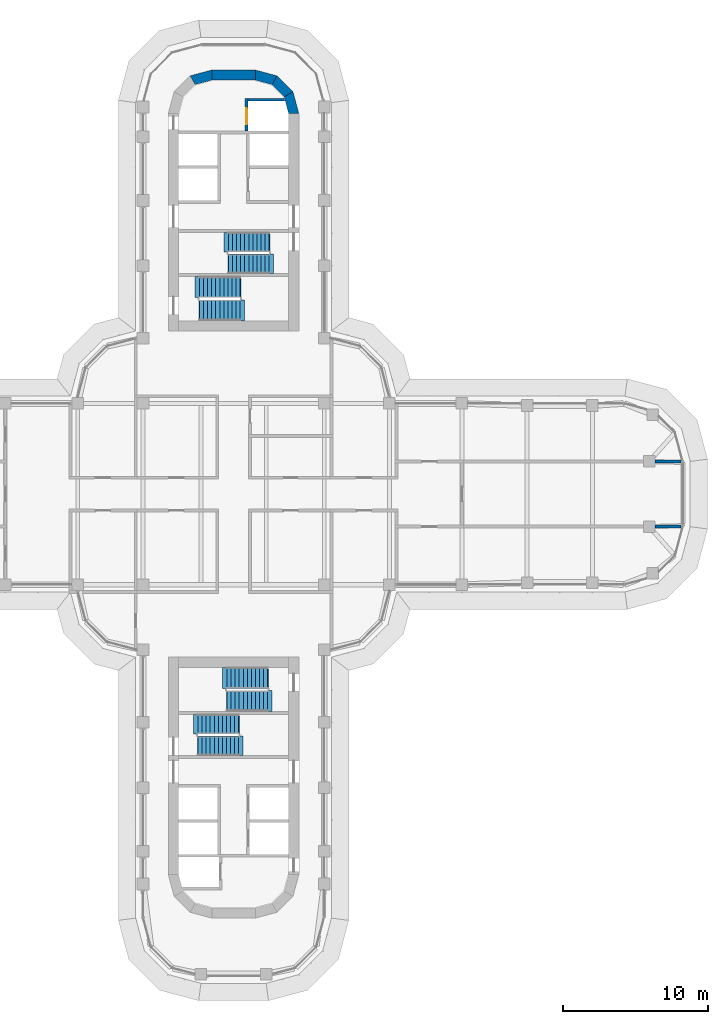
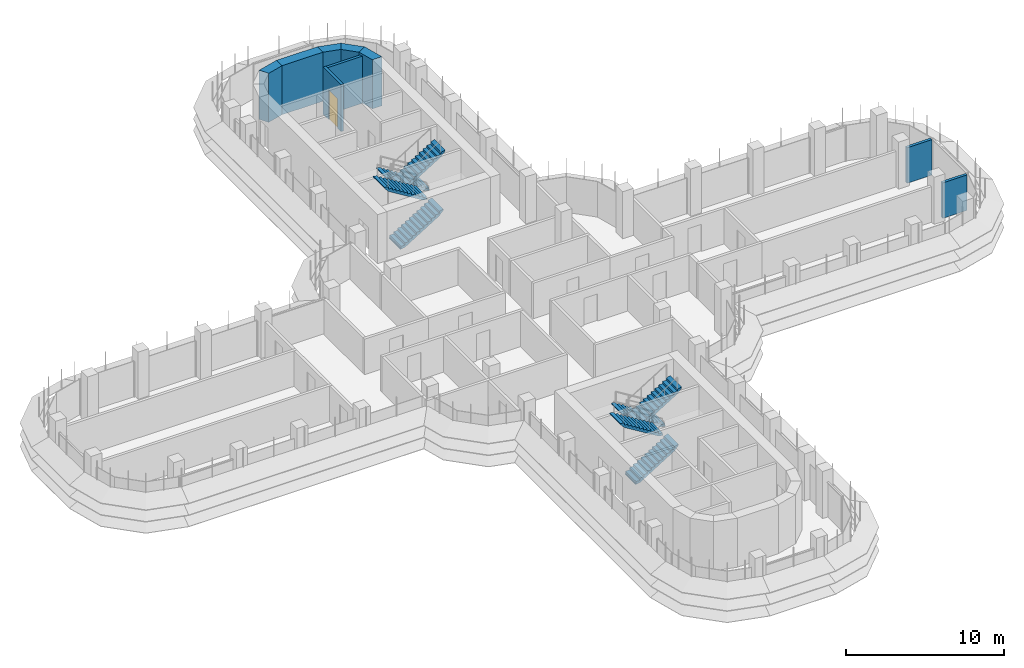
# One storey, part 16 of 20: 9 walls, 8 stair flights, 1 door, 1 opening, 4 elements without a shape of their own.
"""IFC4 building model written with IfcOpenShell, lengths in metres."""

from ifc_helpers import new_model, si_unit, direction, frame, frame_2d, origin, place, context, subcontext, project, spatial, polyline, rectangle, outline, extrude, material, layer, layer_set, type_object, element, fill, aggregate, save


model = new_model("IFC4")

# Units and contexts
model_context = context("Model", 3, precision=1e-05, world=origin(), true_north=direction((0.0, 1.0)))
body_context = subcontext(model_context, "Body", "Model", "MODEL_VIEW")
ifc_project = project(units=[si_unit("LENGTHUNIT", "METRE"), si_unit("AREAUNIT", "SQUARE_METRE"), si_unit("VOLUMEUNIT", "CUBIC_METRE"), si_unit("PLANEANGLEUNIT", "RADIAN"), si_unit("MASSUNIT", "GRAM", prefix="KILO")], contexts=[model_context])

# Site, building, storey
site_placement = place(None, origin())
site = spatial("IfcSite", under=ifc_project, at=site_placement, CompositionType="ELEMENT")
building_placement = place(site_placement, origin())
building = spatial("IfcBuilding", under=site, at=building_placement, Name="Zarbagh Exchange Tower", CompositionType="ELEMENT")
storey_placement = place(building_placement, frame((0.0, 0.0, 141.0)))
storey = spatial("IfcBuildingStorey", under=building, at=storey_placement, Name="L33", CompositionType="ELEMENT", Elevation=141.0)

# Walls
ifc_material_1 = material(Name="Fire-rated plasterboard partition")
ifc_layer_1 = layer(ifc_material_1, 0.199951171875)
ifc_layer_set_1 = layer_set([ifc_layer_1], Name="RATED PARTITION 200")
wall_type_1 = type_object("IfcWallType", Name="RATED PARTITION 200", PredefinedType="PARTITIONING", material=ifc_layer_set_1)
for number, where, z_axis, x_axis, name in (
    (1, (29.070068359375, 2.25, 0.0), (0.0, 0.0, 1.0), (1.0, 0.0, 0.0), "Partition W-1439"),
    (2, (29.070068359375, -2.25, 0.0), (0.0, 0.0, 1.0), (1.0, 0.0, 0.0), "Partition W-1441"),
):
    element("IfcWall", number, at=place(storey_placement, frame(where, z_axis=z_axis, x_axis=x_axis)), inside=storey, type_object=wall_type_1, Name=name, PredefinedType="PARTITIONING", context=body_context, shape_type="SweptSolid", body=[
        extrude(rectangle(XDim=1.809814453125, YDim=0.199951171875, at=frame_2d((0.90478515625, 0.0))), origin(), (0.0, 0.0, 1.0), 2.75),
    ])
ifc_material_2 = material(Name="Concrete C50/60", Category="concrete")
ifc_layer_2 = layer(ifc_material_2, 0.699951171875)
ifc_layer_set_2 = layer_set([ifc_layer_2], Name="RC core corner wall 700 C50/60")
wall_type_2 = type_object("IfcWallType", Name="RC core corner wall 700 C50/60", PredefinedType="SHEAR", material=ifc_layer_set_2)
wall_1_placement = place(storey_placement, origin())
element("IfcWall", 3, at=wall_1_placement, inside=storey, type_object=wall_type_2, Name="CW6 core N corner W", PredefinedType="SHEAR", context=body_context, shape_type="SweptSolid", body=[
    extrude(outline(polyline([(-3.0, 28.84814453125), (-1.5, 29.25), (-1.5, 28.550048828125), (-2.64990234375, 28.241943359375), (-3.0, 28.84814453125)])), origin(), (0.0, 0.0, 1.0), 3.800048828125),
])
wall_2_placement = place(storey_placement, origin())
element("IfcWall", 4, at=wall_2_placement, inside=storey, type_object=wall_type_2, Name="CW6 core N corner E", PredefinedType="SHEAR", context=body_context, shape_type="SweptSolid", body=[
    extrude(outline(polyline([(4.5, 26.25), (4.09814453125, 27.75), (3.491943359375, 27.39990234375), (3.800048828125, 26.25), (4.5, 26.25)])), origin(), (0.0, 0.0, 1.0), 3.800048828125),
])
wall_3_placement = place(storey_placement, origin())
element("IfcWall", 5, at=wall_3_placement, inside=storey, type_object=wall_type_2, Name="CW6 core N corner E", PredefinedType="SHEAR", context=body_context, shape_type="SweptSolid", body=[
    extrude(outline(polyline([(4.09814453125, 27.75), (3.0, 28.84814453125), (2.64990234375, 28.241943359375), (3.491943359375, 27.39990234375), (4.09814453125, 27.75)])), origin(), (0.0, 0.0, 1.0), 3.800048828125),
])
wall_4_placement = place(storey_placement, origin())
element("IfcWall", 6, at=wall_4_placement, inside=storey, type_object=wall_type_2, Name="CW6 core N corner E", PredefinedType="SHEAR", context=body_context, shape_type="SweptSolid", body=[
    extrude(outline(polyline([(3.0, 28.84814453125), (1.5, 29.25), (1.5, 28.550048828125), (2.64990234375, 28.241943359375), (3.0, 28.84814453125)])), origin(), (0.0, 0.0, 1.0), 3.800048828125),
])
ifc_layer_3 = layer(ifc_material_2, 0.699951171875)
ifc_layer_set_3 = layer_set([ifc_layer_3], Name="RC core wall 700 C50/60")
wall_type_3 = type_object("IfcWallType", Name="RC core wall 700 C50/60", PredefinedType="SHEAR", material=ifc_layer_set_3)
wall_5_placement = place(storey_placement, frame((-1.5, 28.89990234375, 0.0), z_axis=(0.0, 0.0, 1.0), x_axis=(1.0, 0.0, 0.0)))
element("IfcWall", 7, at=wall_5_placement, inside=storey, type_object=wall_type_3, Name="CW5 core N outer end", PredefinedType="SHEAR", context=body_context, shape_type="SweptSolid", body=[
    extrude(rectangle(XDim=3.0, YDim=0.699951171875, at=frame_2d((1.5, 0.0))), origin(), (0.0, 0.0, 1.0), 3.800048828125),
])

# Wall, opening, door
ifc_material_3 = material(Name="Concrete C40/50", Category="concrete")
ifc_layer_4 = layer(ifc_material_3, 0.199951171875)
ifc_layer_set_4 = layer_set([ifc_layer_4], Name="Stair enclosure wall 200 mm RC C40/50")
wall_type_4 = type_object("IfcWallType", Name="Stair enclosure wall 200 mm RC C40/50", PredefinedType="SHEAR", material=ifc_layer_set_4)
wall_6_placement = place(storey_placement, frame((0.89990234375, 27.300048828125, 0.0), z_axis=(0.0, 0.0, 1.0), x_axis=(0.0, -1.0, 0.0)))
wall_6 = element("IfcWall", 8, at=wall_6_placement, inside=storey, type_object=wall_type_4, Name="North core lift shaft wall FFL", PredefinedType="SHEAR", context=body_context, shape_type="SweptSolid", body=[
    extrude(rectangle(XDim=2.25, YDim=0.199951171875, at=frame_2d((1.125, 0.0))), origin(), (0.0, 0.0, 1.0), 3.64990234375),
])
opening_placement = place(wall_6_placement, frame((0.699951171875, 0.0, 0.0)))
opening = element("IfcOpeningElement", 9, at=opening_placement, cuts=wall_6, Name="Opening LD-1100", PredefinedType="OPENING", context=body_context, shape_type="SweptSolid", body=[
    extrude(rectangle(XDim=1.10009765625, YDim=2.300048828125, at=frame_2d((0.550048828125, 1.14990234375))), frame((0.0, 0.10986328125, 0.0), z_axis=(0.0, -1.0, 0.0), x_axis=(1.0, 0.0, 0.0)), (0.0, 0.0, 1.0), 0.219970703125),
])
ifc_material_4 = material(Name="Stainless steel", Category="steel")
door_type = type_object("IfcDoorType", Name="Lift landing door 1100 x 2300", OperationType="NOTDEFINED", PredefinedType="DOOR", material=ifc_material_4)
door_placement = place(opening_placement, origin())
door = element("IfcDoor", 10, at=door_placement, inside=storey, type_object=door_type, Name="North core lift landing door LD-F", OperationType="DOUBLE_DOOR_SLIDING", OverallHeight=2.300048828125, OverallWidth=1.10009765625, PredefinedType="DOOR", context=body_context, shape_type="SweptSolid", body=[
    extrude(rectangle(XDim=1.10009765625, YDim=2.300048828125, at=frame_2d((0.550048828125, 1.14990234375))), frame((0.0, 0.02490234375, 0.0), z_axis=(0.0, -1.0, 0.0), x_axis=(1.0, 0.0, 0.0)), (0.0, 0.0, 1.0), 0.050048828125),
])
fill(opening, door)

# Wall
wall_7_placement = place(storey_placement, origin())
element("IfcWall", 11, at=wall_7_placement, inside=storey, type_object=wall_type_4, Name="North core lift shaft wall FFX", PredefinedType="SHEAR", context=body_context, shape_type="SweptSolid", body=[
    extrude(outline(polyline([(1.0, 27.10009765625), (3.547607421875, 27.10009765625), (3.493896484375, 27.300048828125), (1.0, 27.300048828125), (1.0, 27.10009765625)])), origin(), (0.0, 0.0, 1.0), 3.64990234375),
])

# Stair, stair flights
stair_type = type_object("IfcStairType", Name="Exit stair two-flight half-turn", PredefinedType="HALF_TURN_STAIR", material=ifc_material_3)
stair_1_placement = place(storey_placement, origin())
stair_1 = element("IfcStair", 12, at=stair_1_placement, inside=storey, type_object=stair_type, Name="exit stair ST1", PredefinedType="HALF_TURN_STAIR")
stair_flight_type_1 = type_object("IfcStairFlightType", Name="Stair flight 1350 mm", PredefinedType="STRAIGHT", material=ifc_material_3)
stair_flight_1_placement = place(storey_placement, frame((2.449951171875, 17.375, 0.0), z_axis=(0.0, 0.0, 1.0), x_axis=(-1.0, 0.0, 0.0)))
stair_flight_1 = element("IfcStairFlight", 13, at=stair_flight_1_placement, type_object=stair_flight_type_1, Name="ST1 flight 1", NumberOfRisers=11, NumberOfTreads=10, PredefinedType="STRAIGHT", RiserHeight=0.172727273, TreadLength=0.28, context=body_context, shape_type="SweptSolid", body=[
    extrude(outline(polyline([(-0.050048828125, -0.050048828125), (-0.050048828125, 0.0), (0.0, 0.0), (0.0, 0.172607421875), (0.280029296875, 0.172607421875), (0.280029296875, 0.345458984375), (0.56005859375, 0.345458984375), (0.56005859375, 0.51806640625), (0.840087890625, 0.51806640625), (0.840087890625, 0.69091796875), (1.1201171875, 0.69091796875), (1.1201171875, 0.863525390625), (1.39990234375, 0.863525390625), (1.39990234375, 1.036376953125), (1.679931640625, 1.036376953125), (1.679931640625, 1.208984375), (1.9599609375, 1.208984375), (1.9599609375, 1.3818359375), (2.239990234375, 1.3818359375), (2.239990234375, 1.554443359375), (2.52001953125, 1.554443359375), (2.52001953125, 1.727294921875), (2.800048828125, 1.727294921875), (2.800048828125, 1.89990234375), (3.10009765625, 1.97998046875), (3.10009765625, 1.89990234375), (2.800048828125, 1.551025390625), (0.285400390625, 0.0), (-0.050048828125, -0.050048828125)])), frame((0.0, 0.675048828125, 0.0), z_axis=(0.0, -1.0, 0.0), x_axis=(1.0, 0.0, 0.0)), (0.0, 0.0, 1.0), 1.35009765625),
])
stair_flight_2_placement = place(storey_placement, frame((-0.35009765625, 15.875, 1.89990234375), z_axis=(0.0, 0.0, 1.0), x_axis=(1.0, 0.0, 0.0)))
stair_flight_2 = element("IfcStairFlight", 14, at=stair_flight_2_placement, type_object=stair_flight_type_1, Name="ST1 flight 2", NumberOfRisers=11, NumberOfTreads=10, PredefinedType="STRAIGHT", RiserHeight=0.172727273, TreadLength=0.28, context=body_context, shape_type="SweptSolid", body=[
    extrude(outline(polyline([(-0.050048828125, -0.050048828125), (-0.050048828125, 0.0), (0.0, 0.0), (0.0, 0.172607421875), (0.280029296875, 0.172607421875), (0.280029296875, 0.345458984375), (0.56005859375, 0.345458984375), (0.56005859375, 0.51806640625), (0.840087890625, 0.51806640625), (0.840087890625, 0.69091796875), (1.1201171875, 0.69091796875), (1.1201171875, 0.863525390625), (1.39990234375, 0.863525390625), (1.39990234375, 1.036376953125), (1.679931640625, 1.036376953125), (1.679931640625, 1.208984375), (1.9599609375, 1.208984375), (1.9599609375, 1.3818359375), (2.239990234375, 1.3818359375), (2.239990234375, 1.554443359375), (2.52001953125, 1.554443359375), (2.52001953125, 1.727294921875), (2.800048828125, 1.727294921875), (2.800048828125, 1.89990234375), (3.10009765625, 1.97998046875), (3.10009765625, 1.89990234375), (2.800048828125, 1.551025390625), (0.285400390625, 0.0), (-0.050048828125, -0.050048828125)])), frame((0.0, 0.675048828125, 0.0), z_axis=(0.0, -1.0, 0.0), x_axis=(1.0, 0.0, 0.0)), (0.0, 0.0, 1.0), 1.35009765625),
])
aggregate(stair_1, [stair_flight_1, stair_flight_2])

stair_2_placement = place(storey_placement, origin())
stair_2 = element("IfcStair", 15, at=stair_2_placement, inside=storey, type_object=stair_type, Name="exit stair ST3", PredefinedType="HALF_TURN_STAIR")
stair_flight_3_placement = place(storey_placement, frame((-2.449951171875, -17.375, 0.0), z_axis=(0.0, 0.0, 1.0), x_axis=(1.0, 0.0, 0.0)))
stair_flight_3 = element("IfcStairFlight", 16, at=stair_flight_3_placement, type_object=stair_flight_type_1, Name="ST3 flight 1", NumberOfRisers=11, NumberOfTreads=10, PredefinedType="STRAIGHT", RiserHeight=0.172727273, TreadLength=0.28, context=body_context, shape_type="SweptSolid", body=[
    extrude(outline(polyline([(-0.050048828125, -0.050048828125), (-0.050048828125, 0.0), (0.0, 0.0), (0.0, 0.172607421875), (0.280029296875, 0.172607421875), (0.280029296875, 0.345458984375), (0.56005859375, 0.345458984375), (0.56005859375, 0.51806640625), (0.840087890625, 0.51806640625), (0.840087890625, 0.69091796875), (1.1201171875, 0.69091796875), (1.1201171875, 0.863525390625), (1.39990234375, 0.863525390625), (1.39990234375, 1.036376953125), (1.679931640625, 1.036376953125), (1.679931640625, 1.208984375), (1.9599609375, 1.208984375), (1.9599609375, 1.3818359375), (2.239990234375, 1.3818359375), (2.239990234375, 1.554443359375), (2.52001953125, 1.554443359375), (2.52001953125, 1.727294921875), (2.800048828125, 1.727294921875), (2.800048828125, 1.89990234375), (3.10009765625, 1.97998046875), (3.10009765625, 1.89990234375), (2.800048828125, 1.551025390625), (0.285400390625, 0.0), (-0.050048828125, -0.050048828125)])), frame((0.0, 0.675048828125, 0.0), z_axis=(0.0, -1.0, 0.0), x_axis=(1.0, 0.0, 0.0)), (0.0, 0.0, 1.0), 1.35009765625),
])
stair_flight_4_placement = place(storey_placement, frame((0.35009765625, -15.875, 1.89990234375), z_axis=(0.0, 0.0, 1.0), x_axis=(-1.0, 0.0, 0.0)))
stair_flight_4 = element("IfcStairFlight", 17, at=stair_flight_4_placement, type_object=stair_flight_type_1, Name="ST3 flight 2", NumberOfRisers=11, NumberOfTreads=10, PredefinedType="STRAIGHT", RiserHeight=0.172727273, TreadLength=0.28, context=body_context, shape_type="SweptSolid", body=[
    extrude(outline(polyline([(-0.050048828125, -0.050048828125), (-0.050048828125, 0.0), (0.0, 0.0), (0.0, 0.172607421875), (0.280029296875, 0.172607421875), (0.280029296875, 0.345458984375), (0.56005859375, 0.345458984375), (0.56005859375, 0.51806640625), (0.840087890625, 0.51806640625), (0.840087890625, 0.69091796875), (1.1201171875, 0.69091796875), (1.1201171875, 0.863525390625), (1.39990234375, 0.863525390625), (1.39990234375, 1.036376953125), (1.679931640625, 1.036376953125), (1.679931640625, 1.208984375), (1.9599609375, 1.208984375), (1.9599609375, 1.3818359375), (2.239990234375, 1.3818359375), (2.239990234375, 1.554443359375), (2.52001953125, 1.554443359375), (2.52001953125, 1.727294921875), (2.800048828125, 1.727294921875), (2.800048828125, 1.89990234375), (3.10009765625, 1.97998046875), (3.10009765625, 1.89990234375), (2.800048828125, 1.551025390625), (0.285400390625, 0.0), (-0.050048828125, -0.050048828125)])), frame((0.0, 0.675048828125, 0.0), z_axis=(0.0, -1.0, 0.0), x_axis=(1.0, 0.0, 0.0)), (0.0, 0.0, 1.0), 1.35009765625),
])
aggregate(stair_2, [stair_flight_3, stair_flight_4])

stair_3_placement = place(storey_placement, origin())
stair_3 = element("IfcStair", 18, at=stair_3_placement, inside=storey, type_object=stair_type, Name="exit stair ST2", PredefinedType="HALF_TURN_STAIR")
stair_flight_type_2 = type_object("IfcStairFlightType", Name="Stair flight 1450 mm", PredefinedType="STRAIGHT", material=ifc_material_3)
stair_flight_5_placement = place(storey_placement, frame((-2.35009765625, 12.675048828125, 0.0), z_axis=(0.0, 0.0, 1.0), x_axis=(1.0, 0.0, 0.0)))
stair_flight_5 = element("IfcStairFlight", 19, at=stair_flight_5_placement, type_object=stair_flight_type_2, Name="ST2 flight 1", NumberOfRisers=11, NumberOfTreads=10, PredefinedType="STRAIGHT", RiserHeight=0.172727273, TreadLength=0.28, context=body_context, shape_type="SweptSolid", body=[
    extrude(outline(polyline([(-0.050048828125, -0.050048828125), (-0.050048828125, 0.0), (0.0, 0.0), (0.0, 0.172607421875), (0.280029296875, 0.172607421875), (0.280029296875, 0.345458984375), (0.56005859375, 0.345458984375), (0.56005859375, 0.51806640625), (0.840087890625, 0.51806640625), (0.840087890625, 0.69091796875), (1.1201171875, 0.69091796875), (1.1201171875, 0.863525390625), (1.39990234375, 0.863525390625), (1.39990234375, 1.036376953125), (1.679931640625, 1.036376953125), (1.679931640625, 1.208984375), (1.9599609375, 1.208984375), (1.9599609375, 1.3818359375), (2.239990234375, 1.3818359375), (2.239990234375, 1.554443359375), (2.52001953125, 1.554443359375), (2.52001953125, 1.727294921875), (2.800048828125, 1.727294921875), (2.800048828125, 1.89990234375), (3.10009765625, 1.97998046875), (3.10009765625, 1.89990234375), (2.800048828125, 1.551025390625), (0.285400390625, 0.0), (-0.050048828125, -0.050048828125)])), frame((0.0, 0.72509765625, 0.0), z_axis=(0.0, -1.0, 0.0), x_axis=(1.0, 0.0, 0.0)), (0.0, 0.0, 1.0), 1.449951171875),
])
stair_flight_6_placement = place(storey_placement, frame((0.449951171875, 14.27490234375, 1.89990234375), z_axis=(0.0, 0.0, 1.0), x_axis=(-1.0, 0.0, 0.0)))
stair_flight_6 = element("IfcStairFlight", 20, at=stair_flight_6_placement, type_object=stair_flight_type_2, Name="ST2 flight 2", NumberOfRisers=11, NumberOfTreads=10, PredefinedType="STRAIGHT", RiserHeight=0.172727273, TreadLength=0.28, context=body_context, shape_type="SweptSolid", body=[
    extrude(outline(polyline([(-0.050048828125, -0.050048828125), (-0.050048828125, 0.0), (0.0, 0.0), (0.0, 0.172607421875), (0.280029296875, 0.172607421875), (0.280029296875, 0.345458984375), (0.56005859375, 0.345458984375), (0.56005859375, 0.51806640625), (0.840087890625, 0.51806640625), (0.840087890625, 0.69091796875), (1.1201171875, 0.69091796875), (1.1201171875, 0.863525390625), (1.39990234375, 0.863525390625), (1.39990234375, 1.036376953125), (1.679931640625, 1.036376953125), (1.679931640625, 1.208984375), (1.9599609375, 1.208984375), (1.9599609375, 1.3818359375), (2.239990234375, 1.3818359375), (2.239990234375, 1.554443359375), (2.52001953125, 1.554443359375), (2.52001953125, 1.727294921875), (2.800048828125, 1.727294921875), (2.800048828125, 1.89990234375), (3.10009765625, 1.97998046875), (3.10009765625, 1.89990234375), (2.800048828125, 1.551025390625), (0.285400390625, 0.0), (-0.050048828125, -0.050048828125)])), frame((0.0, 0.72509765625, 0.0), z_axis=(0.0, -1.0, 0.0), x_axis=(1.0, 0.0, 0.0)), (0.0, 0.0, 1.0), 1.449951171875),
])
aggregate(stair_3, [stair_flight_5, stair_flight_6])

stair_4_placement = place(storey_placement, origin())
stair_4 = element("IfcStair", 21, at=stair_4_placement, inside=storey, type_object=stair_type, Name="exit stair ST4", PredefinedType="HALF_TURN_STAIR")
stair_flight_7_placement = place(storey_placement, frame((2.35009765625, -12.675048828125, 0.0), z_axis=(0.0, 0.0, 1.0), x_axis=(-1.0, 0.0, 0.0)))
stair_flight_7 = element("IfcStairFlight", 22, at=stair_flight_7_placement, type_object=stair_flight_type_2, Name="ST4 flight 1", NumberOfRisers=11, NumberOfTreads=10, PredefinedType="STRAIGHT", RiserHeight=0.172727273, TreadLength=0.28, context=body_context, shape_type="SweptSolid", body=[
    extrude(outline(polyline([(-0.050048828125, -0.050048828125), (-0.050048828125, 0.0), (0.0, 0.0), (0.0, 0.172607421875), (0.280029296875, 0.172607421875), (0.280029296875, 0.345458984375), (0.56005859375, 0.345458984375), (0.56005859375, 0.51806640625), (0.840087890625, 0.51806640625), (0.840087890625, 0.69091796875), (1.1201171875, 0.69091796875), (1.1201171875, 0.863525390625), (1.39990234375, 0.863525390625), (1.39990234375, 1.036376953125), (1.679931640625, 1.036376953125), (1.679931640625, 1.208984375), (1.9599609375, 1.208984375), (1.9599609375, 1.3818359375), (2.239990234375, 1.3818359375), (2.239990234375, 1.554443359375), (2.52001953125, 1.554443359375), (2.52001953125, 1.727294921875), (2.800048828125, 1.727294921875), (2.800048828125, 1.89990234375), (3.10009765625, 1.97998046875), (3.10009765625, 1.89990234375), (2.800048828125, 1.551025390625), (0.285400390625, 0.0), (-0.050048828125, -0.050048828125)])), frame((0.0, 0.72509765625, 0.0), z_axis=(0.0, -1.0, 0.0), x_axis=(1.0, 0.0, 0.0)), (0.0, 0.0, 1.0), 1.449951171875),
])
stair_flight_8_placement = place(storey_placement, frame((-0.449951171875, -14.27490234375, 1.89990234375), z_axis=(0.0, 0.0, 1.0), x_axis=(1.0, 0.0, 0.0)))
stair_flight_8 = element("IfcStairFlight", 23, at=stair_flight_8_placement, type_object=stair_flight_type_2, Name="ST4 flight 2", NumberOfRisers=11, NumberOfTreads=10, PredefinedType="STRAIGHT", RiserHeight=0.172727273, TreadLength=0.28, context=body_context, shape_type="SweptSolid", body=[
    extrude(outline(polyline([(-0.050048828125, -0.050048828125), (-0.050048828125, 0.0), (0.0, 0.0), (0.0, 0.172607421875), (0.280029296875, 0.172607421875), (0.280029296875, 0.345458984375), (0.56005859375, 0.345458984375), (0.56005859375, 0.51806640625), (0.840087890625, 0.51806640625), (0.840087890625, 0.69091796875), (1.1201171875, 0.69091796875), (1.1201171875, 0.863525390625), (1.39990234375, 0.863525390625), (1.39990234375, 1.036376953125), (1.679931640625, 1.036376953125), (1.679931640625, 1.208984375), (1.9599609375, 1.208984375), (1.9599609375, 1.3818359375), (2.239990234375, 1.3818359375), (2.239990234375, 1.554443359375), (2.52001953125, 1.554443359375), (2.52001953125, 1.727294921875), (2.800048828125, 1.727294921875), (2.800048828125, 1.89990234375), (3.10009765625, 1.97998046875), (3.10009765625, 1.89990234375), (2.800048828125, 1.551025390625), (0.285400390625, 0.0), (-0.050048828125, -0.050048828125)])), frame((0.0, 0.72509765625, 0.0), z_axis=(0.0, -1.0, 0.0), x_axis=(1.0, 0.0, 0.0)), (0.0, 0.0, 1.0), 1.449951171875),
])
aggregate(stair_4, [stair_flight_7, stair_flight_8])

save(model, "model.ifc")
